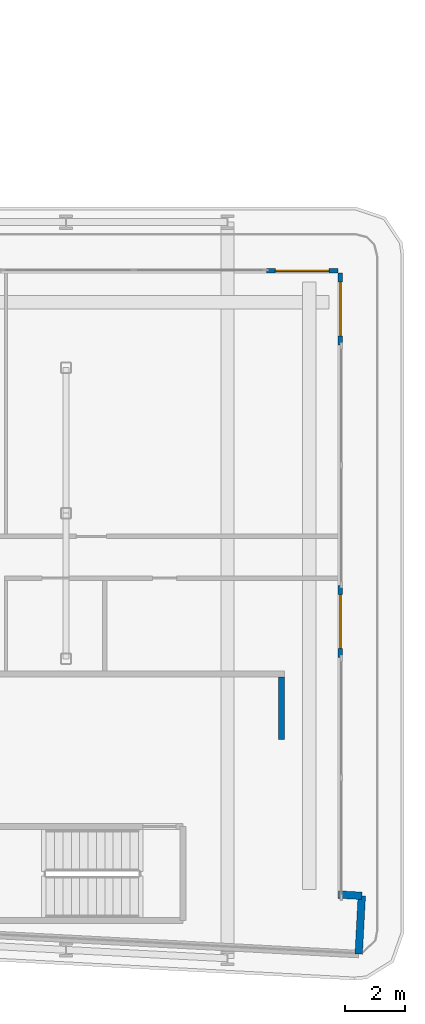
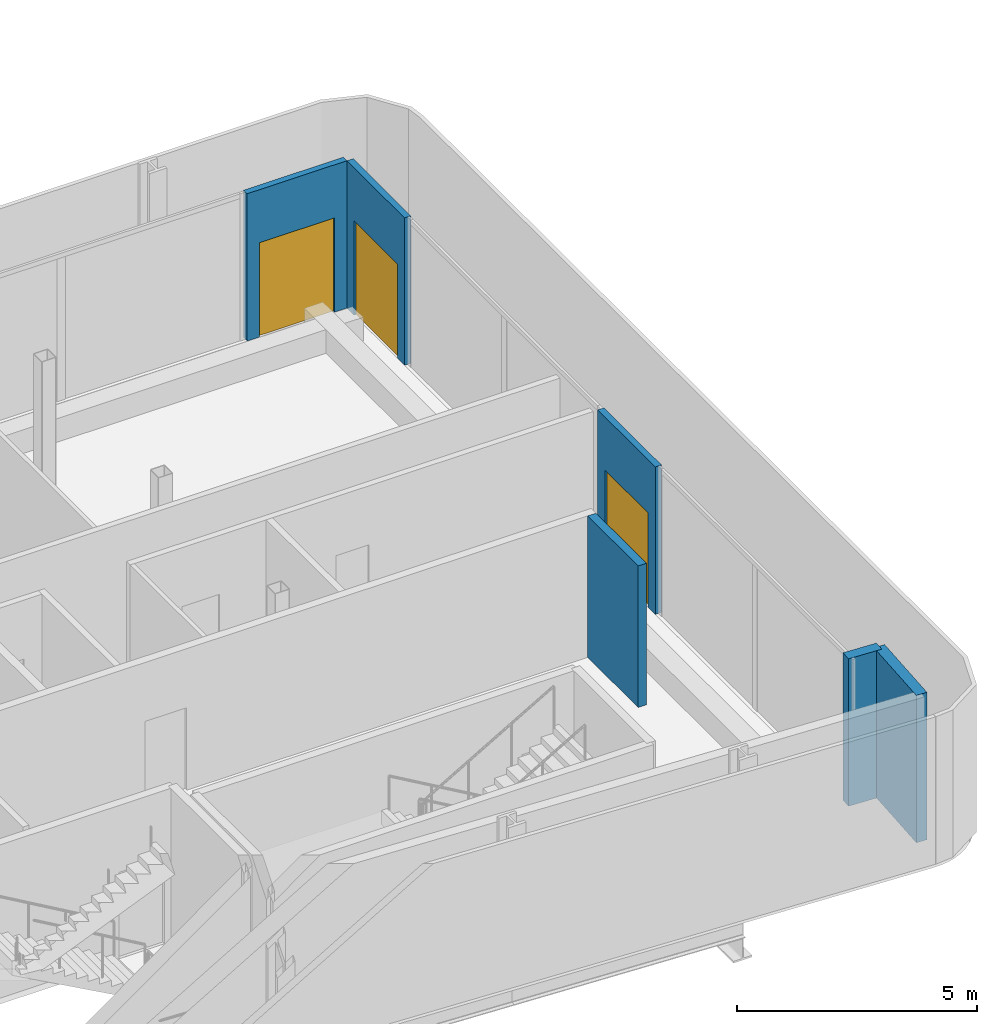
# One storey, part 19 of 28: 6 walls, 3 doors, 3 openings.
"""IFC4 building model written with IfcOpenShell, lengths in metres."""

from ifc_helpers import new_model, si_unit, direction, frame, frame_2d, origin, place, context, subcontext, project, spatial, rectangle, extrude, source, transform, mapped, material, layer, layer_set, type_object, element, fill, save


model = new_model("IFC4")

# Units and contexts
model_context = context("Model", 3, precision=1e-05, world=origin(), true_north=direction((0.0, 1.0)))
body_context = subcontext(model_context, "Body", "Model", "MODEL_VIEW")
ifc_project = project(units=[si_unit("LENGTHUNIT", "METRE"), si_unit("AREAUNIT", "SQUARE_METRE"), si_unit("VOLUMEUNIT", "CUBIC_METRE"), si_unit("PLANEANGLEUNIT", "RADIAN"), si_unit("MASSUNIT", "GRAM", prefix="KILO")], contexts=[model_context])

# Site, building, storey
site_placement = place(None, origin())
site = spatial("IfcSite", under=ifc_project, at=site_placement, CompositionType="ELEMENT")
building_placement = place(site_placement, origin())
building = spatial("IfcBuilding", under=site, at=building_placement, Name="Kheshtan School and Residences Tower", CompositionType="ELEMENT")
storey_placement = place(building_placement, frame((0.0, 0.0, 42.199951171875)))
storey = spatial("IfcBuildingStorey", under=building, at=storey_placement, Name="L09", CompositionType="ELEMENT", Elevation=42.199951171875)

# Walls
ifc_material_1 = material(Name="Gypsum board on steel studs with fire boards", Category="steel")
ifc_layer_1 = layer(ifc_material_1, 0.199951171875)
ifc_layer_set_1 = layer_set([ifc_layer_1], Name="Corridor wall 200")
wall_type_1 = type_object("IfcWallType", Name="Corridor wall 200", PredefinedType="PARTITIONING", material=ifc_layer_set_1)
wall_1_placement = place(storey_placement, frame((92.60009765625, 28.300048828125, 0.0), z_axis=(0.0, 0.0, 1.0), x_axis=(0.0, 1.0, 0.0)))
element("IfcWall", 1, at=wall_1_placement, inside=storey, type_object=wall_type_1, Name="Partition L09-078", PredefinedType="PARTITIONING", context=body_context, shape_type="SweptSolid", body=[
    extrude(rectangle(XDim=2.099853515625, YDim=0.199951171875, at=frame_2d((1.0498046875, 0.0))), origin(), (0.0, 0.0, 1.0), 3.60009765625),
])
ifc_material_2 = material(Name="Concrete C40/50 with ceramic cladding and mineral wool insulation", Category="concrete")
ifc_layer_2 = layer(ifc_material_2, 0.25)
ifc_layer_set_2 = layer_set([ifc_layer_2], Name="External wall 250 ceramic clad")
wall_type_2 = type_object("IfcWallType", Name="External wall 250 ceramic clad", PredefinedType="SOLIDWALL", material=ifc_layer_set_2)
wall_2_placement = place(storey_placement, frame((94.507080078125, 23.123046875, 0.0), z_axis=(0.0, 0.0, 1.0), x_axis=(0.998561284263, -0.053622398031, 0.0)))
element("IfcWall", 2, at=wall_2_placement, inside=storey, type_object=wall_type_2, Name="External wall L09 14", PredefinedType="SOLIDWALL", context=body_context, shape_type="SweptSolid", body=[
    extrude(rectangle(XDim=0.783203125, YDim=0.25, at=frame_2d((0.3916015625, 0.0))), origin(), (0.0, 0.0, 1.0), 3.75),
])
wall_3_placement = place(storey_placement, frame((95.2890625, 23.0810546875, 0.0), z_axis=(0.0, 0.0, 1.0), x_axis=(-0.052841433274, -0.998602915542, 0.0)))
element("IfcWall", 3, at=wall_3_placement, inside=storey, type_object=wall_type_2, Name="External wall L09 15", PredefinedType="SOLIDWALL", context=body_context, shape_type="SweptSolid", body=[
    extrude(rectangle(XDim=1.94970703125, YDim=0.25, at=frame_2d((0.974853515625, 0.0))), origin(), (0.0, 0.0, 1.0), 3.75),
])

# Wall, opening, door
ifc_material_3 = material(Name="Aluminium frame wall with insulated infill", Category="aluminium")
ifc_layer_3 = layer(ifc_material_3, 0.14990234375)
ifc_layer_set_3 = layer_set([ifc_layer_3], Name="Glazing frame wall 150")
wall_type_3 = type_object("IfcWallType", Name="Glazing frame wall 150", PredefinedType="SOLIDWALL", material=ifc_layer_set_3)
wall_4_placement = place(storey_placement, frame((92.10009765625, 43.97509765625, 0.0), z_axis=(0.0, 0.0, 1.0), x_axis=(1.0, 0.0, 0.0)))
wall_4 = element("IfcWall", 4, at=wall_4_placement, inside=storey, type_object=wall_type_3, Name="Balcony door wall L09 12.4", PredefinedType="SOLIDWALL", context=body_context, shape_type="SweptSolid", body=[
    extrude(rectangle(XDim=2.39990234375, YDim=0.14990234375, at=frame_2d((1.199951171875, 0.0))), origin(), (0.0, 0.0, 1.0), 3.75),
])
opening_1_placement = place(wall_4_placement, frame((0.300048828125, 0.0, 0.0)))
opening_1 = element("IfcOpeningElement", 5, at=opening_1_placement, cuts=wall_4, Name="Opening BD", PredefinedType="OPENING", context=body_context, shape_type="SweptSolid", body=[
    extrude(rectangle(XDim=1.800048828125, YDim=2.39990234375, at=frame_2d((0.89990234375, 1.199951171875))), frame((0.0, 0.0849609375, 0.0), z_axis=(0.0, -1.0, 0.0), x_axis=(1.0, 0.0, 0.0)), (0.0, 0.0, 1.0), 0.169921875),
])
ifc_material_4 = material(Name="Clear low-e glass in thermally broken aluminium frame", Category="aluminium")
door_type = type_object("IfcDoorType", Name="Balcony sliding door", OperationType="SLIDING_TO_LEFT", PredefinedType="DOOR", material=ifc_material_4)
shared_shape = source(origin(), body_context, "Body", "SweptSolid", [
    extrude(rectangle(XDim=1.800048828125, YDim=2.39990234375, at=frame_2d((0.89990234375, 1.199951171875))), frame((0.0, 0.02490234375, 0.0), z_axis=(0.0, -1.0, 0.0), x_axis=(1.0, 0.0, 0.0)), (0.0, 0.0, 1.0), 0.050048828125),
])
door_1_placement = place(opening_1_placement, origin())
door_1 = element("IfcDoor", 6, at=door_1_placement, inside=storey, type_object=door_type, Name="Balcony door L09 12.4", OperationType="SLIDING_TO_LEFT", OverallHeight=2.39990234375, OverallWidth=1.800048828125, PredefinedType="DOOR", context=body_context, shape_type="MappedRepresentation", body=[
    mapped(shared_shape, transform((0.0, 0.0, 0.0), x_axis=(1.0, 0.0, 0.0), y_axis=(0.0, 1.0, 0.0), z_axis=(0.0, 0.0, 1.0), scale=1.0)),
])
fill(opening_1, door_1)

wall_5_placement = place(storey_placement, frame((94.574951171875, 43.89990234375, 0.0), z_axis=(0.0, 0.0, 1.0), x_axis=(0.0, -1.0, 0.0)))
wall_5 = element("IfcWall", 7, at=wall_5_placement, inside=storey, type_object=wall_type_3, Name="Balcony door wall L09 13.1", PredefinedType="SOLIDWALL", context=body_context, shape_type="SweptSolid", body=[
    extrude(rectangle(XDim=2.39990234375, YDim=0.14990234375, at=frame_2d((1.199951171875, 0.0))), origin(), (0.0, 0.0, 1.0), 3.75),
])
opening_2_placement = place(wall_5_placement, frame((0.300048828125, 0.0, 0.0)))
opening_2 = element("IfcOpeningElement", 8, at=opening_2_placement, cuts=wall_5, Name="Opening BD", PredefinedType="OPENING", context=body_context, shape_type="SweptSolid", body=[
    extrude(rectangle(XDim=1.800048828125, YDim=2.39990234375, at=frame_2d((0.89990234375, 1.199951171875))), frame((0.0, 0.0849609375, 0.0), z_axis=(0.0, -1.0, 0.0), x_axis=(1.0, 0.0, 0.0)), (0.0, 0.0, 1.0), 0.169921875),
])
door_2_placement = place(opening_2_placement, origin())
door_2 = element("IfcDoor", 9, at=door_2_placement, inside=storey, type_object=door_type, Name="Balcony door L09 13.1", OperationType="SLIDING_TO_LEFT", OverallHeight=2.39990234375, OverallWidth=1.800048828125, PredefinedType="DOOR", context=body_context, shape_type="MappedRepresentation", body=[
    mapped(shared_shape, transform((0.0, 0.0, 0.0), x_axis=(1.0, 0.0, 0.0), y_axis=(0.0, 1.0, 0.0), z_axis=(0.0, 0.0, 1.0), scale=1.0)),
])
fill(opening_2, door_2)

wall_6_placement = place(storey_placement, frame((94.574951171875, 33.448974609375, 0.0), z_axis=(0.0, 0.0, 1.0), x_axis=(0.0, -1.0, 0.0)))
wall_6 = element("IfcWall", 10, at=wall_6_placement, inside=storey, type_object=wall_type_3, Name="Balcony door wall L09 13.2", PredefinedType="SOLIDWALL", context=body_context, shape_type="SweptSolid", body=[
    extrude(rectangle(XDim=2.39990234375, YDim=0.14990234375, at=frame_2d((1.199951171875, 0.0))), origin(), (0.0, 0.0, 1.0), 3.75),
])
opening_3_placement = place(wall_6_placement, frame((0.300048828125, 0.0, 0.0)))
opening_3 = element("IfcOpeningElement", 11, at=opening_3_placement, cuts=wall_6, Name="Opening BD", PredefinedType="OPENING", context=body_context, shape_type="SweptSolid", body=[
    extrude(rectangle(XDim=1.800048828125, YDim=2.39990234375, at=frame_2d((0.89990234375, 1.199951171875))), frame((0.0, 0.0849609375, 0.0), z_axis=(0.0, -1.0, 0.0), x_axis=(1.0, 0.0, 0.0)), (0.0, 0.0, 1.0), 0.169921875),
])
door_3_placement = place(opening_3_placement, origin())
door_3 = element("IfcDoor", 12, at=door_3_placement, inside=storey, type_object=door_type, Name="Balcony door L09 13.2", OperationType="SLIDING_TO_LEFT", OverallHeight=2.39990234375, OverallWidth=1.800048828125, PredefinedType="DOOR", context=body_context, shape_type="MappedRepresentation", body=[
    mapped(shared_shape, transform((0.0, 0.0, 0.0), x_axis=(1.0, 0.0, 0.0), y_axis=(0.0, 1.0, 0.0), z_axis=(0.0, 0.0, 1.0), scale=1.0)),
])
fill(opening_3, door_3)

save(model, "model.ifc")
